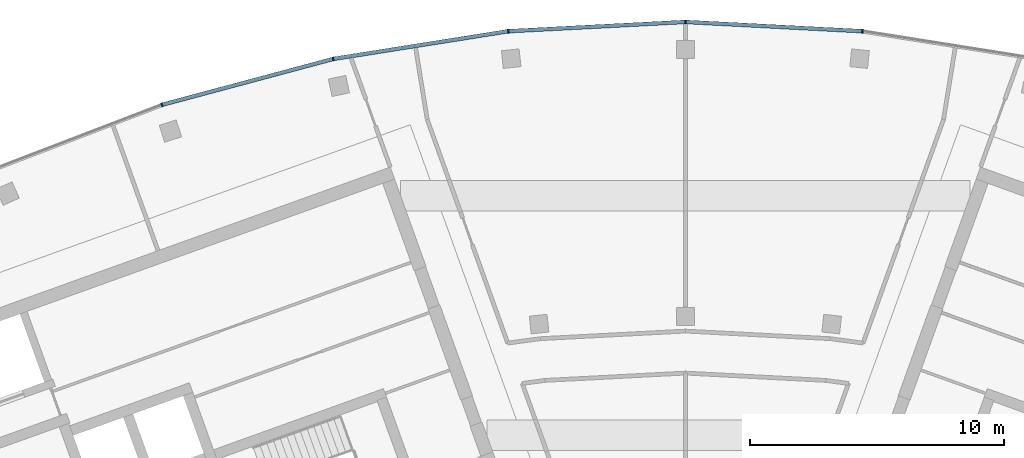
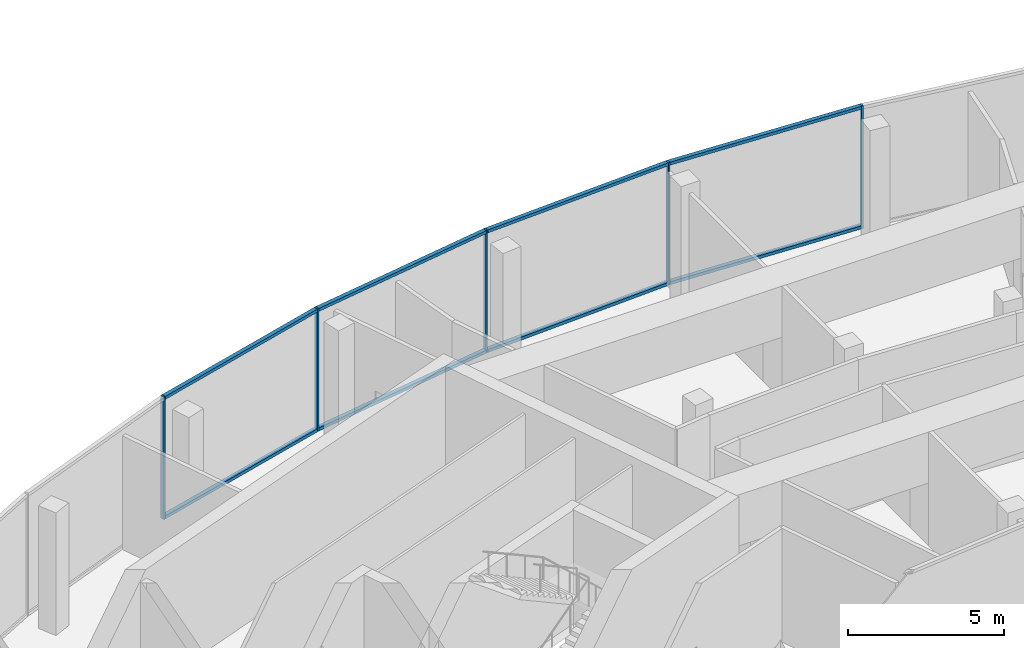
# One storey, part 7 of 17: 13 members, 1 element without a shape of its own.
"""IFC4 building model written with IfcOpenShell, lengths in metres."""

from ifc_helpers import new_model, si_unit, direction, frame, origin, origin_2d, place, context, subcontext, project, spatial, rectangle, extrude, material, layer, layer_set, material_profile, profile_set, type_object, element, aggregate, save


model = new_model("IFC4")

# Units and contexts
model_context = context("Model", 3, precision=1e-05, world=origin(), true_north=direction((0.0, 1.0)))
body_context = subcontext(model_context, "Body", "Model", "MODEL_VIEW")
ifc_project = project(units=[si_unit("LENGTHUNIT", "METRE"), si_unit("AREAUNIT", "SQUARE_METRE"), si_unit("VOLUMEUNIT", "CUBIC_METRE"), si_unit("PLANEANGLEUNIT", "RADIAN"), si_unit("MASSUNIT", "GRAM", prefix="KILO")], contexts=[model_context])

# Site, building, storey
site_placement = place(None, origin())
site = spatial("IfcSite", under=ifc_project, at=site_placement, CompositionType="ELEMENT")
building_placement = place(site_placement, origin())
building = spatial("IfcBuilding", under=site, at=building_placement, Name="Stone Belt Terrace Tower", CompositionType="ELEMENT")
storey_placement = place(building_placement, frame((0.0, 0.0, 318.199951171875)))
storey = spatial("IfcBuildingStorey", under=building, at=storey_placement, Name="L77", CompositionType="ELEMENT", Elevation=318.199951171875)

# Curtain wall, members
ifc_material = material(Name="Aluminium 6063-T6 anodised frame", Category="aluminium")
ifc_layer = layer(ifc_material, 0.14990234375)
ifc_layer_set = layer_set([ifc_layer], Name="CW-C stick curtain wall, horn ends and notches")
curtain_wall_type = type_object("IfcCurtainWallType", Name="CW-C stick curtain wall, horn ends and notches", PredefinedType="NOTDEFINED", material=ifc_layer_set)
curtain_wall_placement = place(storey_placement, origin())
curtain_wall = element("IfcCurtainWall", 1, at=curtain_wall_placement, inside=storey, type_object=curtain_wall_type, Name="CW-C convex face L77", PredefinedType="NOTDEFINED")
ifc_material_profile_1 = material_profile(ifc_material, rectangle(XDim=0.14990234375, YDim=0.06005859375, at=origin_2d()), Name="Aluminium 6063-T6 60x150")
ifc_profile_set_1 = profile_set([ifc_material_profile_1], Name="Aluminium 6063-T6 anodised frame")
member_type_1 = type_object("IfcMemberType", Name="CW-C mullion 60 x 150", PredefinedType="MULLION", material=ifc_profile_set_1)
member_1_placement = place(storey_placement, frame((6.958984375, 66.21044921875, 0.0), z_axis=(0.0, 0.0, 1.0), x_axis=(-0.104528463268, -0.994521895368, 0.0)))
member_1 = element("IfcMember", 2, at=member_1_placement, type_object=member_type_1, Name="CW-C mullion 7", PredefinedType="MULLION", context=body_context, shape_type="SweptSolid", body=[
    extrude(rectangle(XDim=0.14990234375, YDim=0.06005859375, at=origin_2d()), origin(), (0.0, 0.0, 1.0), 4.800048828125),
])
member_2_placement = place(storey_placement, frame((0.0, 66.5751953125, 0.0), z_axis=(0.0, 0.0, 1.0), x_axis=(0.0, -1.0, 0.0)))
member_2 = element("IfcMember", 3, at=member_2_placement, type_object=member_type_1, Name="CW-C mullion 8", PredefinedType="MULLION", context=body_context, shape_type="SweptSolid", body=[
    extrude(rectangle(XDim=0.14990234375, YDim=0.06005859375, at=origin_2d()), origin(), (0.0, 0.0, 1.0), 4.800048828125),
])
member_3_placement = place(storey_placement, frame((-6.958984375, 66.21044921875, 0.0), z_axis=(0.0, 0.0, 1.0), x_axis=(0.104528463268, -0.994521895368, 0.0)))
member_3 = element("IfcMember", 4, at=member_3_placement, type_object=member_type_1, Name="CW-C mullion 9", PredefinedType="MULLION", context=body_context, shape_type="SweptSolid", body=[
    extrude(rectangle(XDim=0.14990234375, YDim=0.06005859375, at=origin_2d()), origin(), (0.0, 0.0, 1.0), 4.800048828125),
])
member_4_placement = place(storey_placement, frame((-13.841796875, 65.120361328125, 0.0), z_axis=(0.0, 0.0, 1.0), x_axis=(0.207911690818, -0.978147600734, 0.0)))
member_4 = element("IfcMember", 5, at=member_4_placement, type_object=member_type_1, Name="CW-C mullion 10", PredefinedType="MULLION", context=body_context, shape_type="SweptSolid", body=[
    extrude(rectangle(XDim=0.14990234375, YDim=0.06005859375, at=origin_2d()), origin(), (0.0, 0.0, 1.0), 4.800048828125),
])
member_5_placement = place(storey_placement, frame((-20.57275390625, 63.316650390625, 0.0), z_axis=(0.0, 0.0, 1.0), x_axis=(0.309016994375, -0.951056516295, 0.0)))
member_5 = element("IfcMember", 6, at=member_5_placement, type_object=member_type_1, Name="CW-C mullion 11", PredefinedType="MULLION", context=body_context, shape_type="SweptSolid", body=[
    extrude(rectangle(XDim=0.14990234375, YDim=0.06005859375, at=origin_2d()), origin(), (0.0, 0.0, 1.0), 4.800048828125),
])
ifc_material_profile_2 = material_profile(ifc_material, rectangle(XDim=0.14990234375, YDim=0.1201171875, at=origin_2d()), Name="Aluminium 6063-T6 150x120")
ifc_profile_set_2 = profile_set([ifc_material_profile_2], Name="Aluminium 6063-T6 anodised frame")
member_type_2 = type_object("IfcMemberType", Name="CW-C transom 120 x 150", PredefinedType="USERDEFINED", material=ifc_profile_set_2)
member_6_placement = place(storey_placement, frame((6.925048828125, 66.212158203125, 0.06005859375), z_axis=(-0.998630019135, 0.052326712899, 0.0), x_axis=(-0.052326712899, -0.998630019135, 0.0)))
member_6 = element("IfcMember", 7, at=member_6_placement, type_object=member_type_2, Name="CW-C transom 7.1", ObjectType="TRANSOM", PredefinedType="USERDEFINED", context=body_context, shape_type="SweptSolid", body=[
    extrude(rectangle(XDim=0.14990234375, YDim=0.1201171875, at=origin_2d()), origin(), (0.0, 0.0, 1.0), 6.900634765625),
])
member_7_placement = place(storey_placement, frame((6.925048828125, 66.212158203125, 4.739990234375), z_axis=(-0.998630019135, 0.052326712899, 0.0), x_axis=(-0.052326712899, -0.998630019135, 0.0)))
member_7 = element("IfcMember", 8, at=member_7_placement, type_object=member_type_2, Name="CW-C transom 7.2", ObjectType="TRANSOM", PredefinedType="USERDEFINED", context=body_context, shape_type="SweptSolid", body=[
    extrude(rectangle(XDim=0.14990234375, YDim=0.1201171875, at=origin_2d()), origin(), (0.0, 0.0, 1.0), 6.900634765625),
])
member_8_placement = place(storey_placement, frame((-0.033935546875, 66.5732421875, 0.06005859375), z_axis=(-0.998630019135, -0.052326712899, 0.0), x_axis=(0.052326712899, -0.998630019135, 0.0)))
member_8 = element("IfcMember", 9, at=member_8_placement, type_object=member_type_2, Name="CW-C transom 8.1", ObjectType="TRANSOM", PredefinedType="USERDEFINED", context=body_context, shape_type="SweptSolid", body=[
    extrude(rectangle(XDim=0.14990234375, YDim=0.1201171875, at=origin_2d()), origin(), (0.0, 0.0, 1.0), 6.900634765625),
])
member_9_placement = place(storey_placement, frame((-0.033935546875, 66.5732421875, 4.739990234375), z_axis=(-0.998630019135, -0.052326712899, 0.0), x_axis=(0.052326712899, -0.998630019135, 0.0)))
member_9 = element("IfcMember", 10, at=member_9_placement, type_object=member_type_2, Name="CW-C transom 8.2", ObjectType="TRANSOM", PredefinedType="USERDEFINED", context=body_context, shape_type="SweptSolid", body=[
    extrude(rectangle(XDim=0.14990234375, YDim=0.1201171875, at=origin_2d()), origin(), (0.0, 0.0, 1.0), 6.900634765625),
])
member_10_placement = place(storey_placement, frame((-6.992431640625, 66.205078125, 0.06005859375), z_axis=(-0.987687120531, -0.156442168027, 0.0), x_axis=(0.156442168027, -0.987687120531, 0.0)))
member_10 = element("IfcMember", 11, at=member_10_placement, type_object=member_type_2, Name="CW-C transom 9.1", ObjectType="TRANSOM", PredefinedType="USERDEFINED", context=body_context, shape_type="SweptSolid", body=[
    extrude(rectangle(XDim=0.14990234375, YDim=0.1201171875, at=origin_2d()), origin(), (0.0, 0.0, 1.0), 6.90087890625),
])
member_11_placement = place(storey_placement, frame((-6.992431640625, 66.205078125, 4.739990234375), z_axis=(-0.987687120531, -0.156442168027, 0.0), x_axis=(0.156442168027, -0.987687120531, 0.0)))
member_11 = element("IfcMember", 12, at=member_11_placement, type_object=member_type_2, Name="CW-C transom 9.2", ObjectType="TRANSOM", PredefinedType="USERDEFINED", context=body_context, shape_type="SweptSolid", body=[
    extrude(rectangle(XDim=0.14990234375, YDim=0.1201171875, at=origin_2d()), origin(), (0.0, 0.0, 1.0), 6.90087890625),
])
member_12_placement = place(storey_placement, frame((-13.87451171875, 65.111572265625, 0.06005859375), z_axis=(-0.965921835863, -0.258833937117, 0.0), x_axis=(0.258833937117, -0.965921835863, 0.0)))
member_12 = element("IfcMember", 13, at=member_12_placement, type_object=member_type_2, Name="CW-C transom 10.1", ObjectType="TRANSOM", PredefinedType="USERDEFINED", context=body_context, shape_type="SweptSolid", body=[
    extrude(rectangle(XDim=0.14990234375, YDim=0.1201171875, at=origin_2d()), origin(), (0.0, 0.0, 1.0), 6.900634765625),
])
member_13_placement = place(storey_placement, frame((-13.87451171875, 65.111572265625, 4.739990234375), z_axis=(-0.965921835863, -0.258833937117, 0.0), x_axis=(0.258833937117, -0.965921835863, 0.0)))
member_13 = element("IfcMember", 14, at=member_13_placement, type_object=member_type_2, Name="CW-C transom 10.2", ObjectType="TRANSOM", PredefinedType="USERDEFINED", context=body_context, shape_type="SweptSolid", body=[
    extrude(rectangle(XDim=0.14990234375, YDim=0.1201171875, at=origin_2d()), origin(), (0.0, 0.0, 1.0), 6.900634765625),
])
aggregate(curtain_wall, [member_1, member_2, member_3, member_4, member_5, member_6, member_7, member_8, member_9, member_10, member_11, member_12, member_13])

save(model, "model.ifc")
